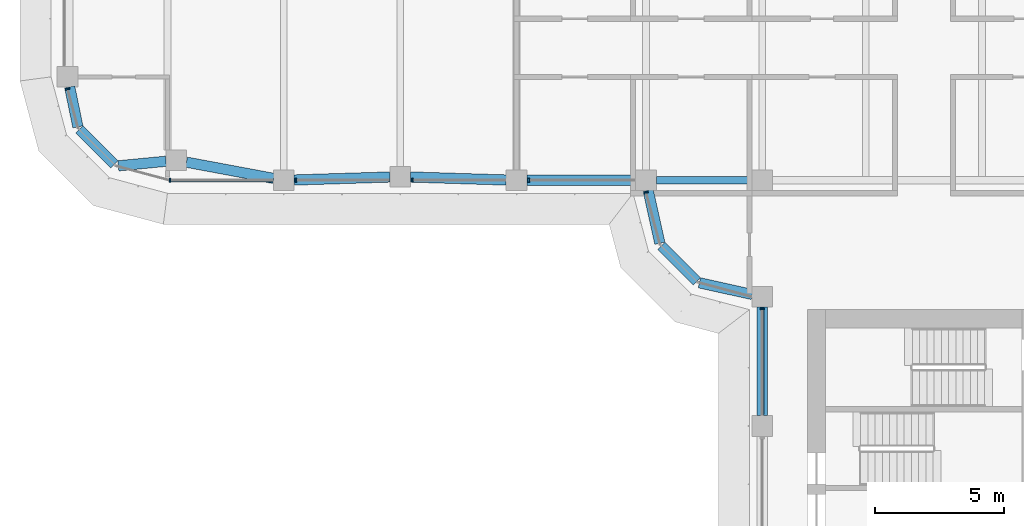
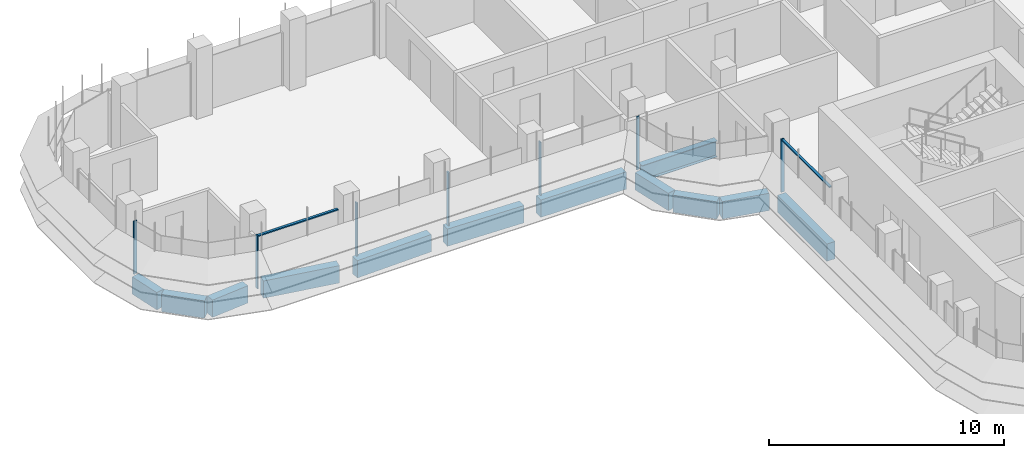
# One storey, part 3 of 19: 12 beams, 9 members, 4 elements without a shape of their own.
"""IFC4 building model written with IfcOpenShell, lengths in metres."""

import ifcopenshell
import ifcopenshell.guid

model = None  # the IFC model being written
_history = None  # IfcOwnerHistory: only IFC2X3 demands one
_inside = {}  # id of a spatial element -> (the spatial element, [elements in it])
_under = {}  # id of a project, library or spatial element -> (it, [spatial elements below it])
_declared = {}  # id of a project -> (the project, [libraries it declares])
_typed = {}  # id of a type object -> (the type object, [elements of that type])
_made_of = {}  # id of a material, layer set ... -> (it, [elements and type objects made of it])


def new_model(schema):
    """Start an empty IFC model of exactly this schema.

    Asked for "IFC4X3", IfcOpenShell would pick the latest addendum, in which some entities
    have other attributes; the version numbers below select the first issue.
    IFC2X3 requires an IfcOwnerHistory on every rooted entity: one is made here for all.
    """
    global model, _history
    if schema == "IFC4X3":
        model = ifcopenshell.file(schema_version=(4, 3, 0, 0))
    else:
        model = ifcopenshell.file(schema=schema)
    _inside.clear()
    _under.clear()
    _declared.clear()
    _typed.clear()
    _made_of.clear()
    _history = None
    if model.schema == "IFC2X3":
        org = make("IfcOrganization", Name="unknown")
        user = make(
            "IfcPersonAndOrganization",
            ThePerson=make("IfcPerson", FamilyName="unknown"),
            TheOrganization=org,
        )
        app = make(
            "IfcApplication",
            ApplicationDeveloper=org,
            Version="unknown",
            ApplicationFullName="unknown",
            ApplicationIdentifier="unknown",
        )
        _history = make(
            "IfcOwnerHistory",
            OwningUser=user,
            OwningApplication=app,
            ChangeAction="ADDED",
            CreationDate=0,
        )
    return model


def make(cls, **values):
    """One entity of the class cls with the attributes given. An attribute that is None is left unset."""
    return model.create_entity(
        cls, **{name: value for name, value in values.items() if value is not None}
    )


def rooted(cls, **values):
    """An entity with a GlobalId (a new one), such as an element, a storey or a relation."""
    return make(cls, GlobalId=ifcopenshell.guid.new(), OwnerHistory=_history, **values)


def si_unit(unit_type, name, prefix=None):
    """IfcSIUnit, for example si_unit("LENGTHUNIT", "METRE", prefix="MILLI")."""
    return make("IfcSIUnit", UnitType=unit_type, Prefix=prefix, Name=name)


def assignment(units):
    """IfcUnitAssignment: the units of a project."""
    return None if units is None else make("IfcUnitAssignment", Units=units)


def point(xyz):
    """IfcCartesianPoint."""
    return None if xyz is None else make("IfcCartesianPoint", Coordinates=xyz)


def direction(xyz):
    """IfcDirection."""
    return None if xyz is None else make("IfcDirection", DirectionRatios=xyz)


def frame(location, z_axis=None, x_axis=None):
    """IfcAxis2Placement3D, a coordinate frame: its origin and axes. An axis left out is left unset."""
    return make(
        "IfcAxis2Placement3D",
        Location=point(location),
        Axis=direction(z_axis),
        RefDirection=direction(x_axis),
    )


def frame_2d(location, x_axis=None):
    """IfcAxis2Placement2D, a coordinate frame in the plane: its origin and x axis."""
    return make(
        "IfcAxis2Placement2D", Location=point(location), RefDirection=direction(x_axis)
    )


def origin():
    """The frame at (0, 0, 0) with its axes left unset."""
    return frame((0.0, 0.0, 0.0))


def origin_2d():
    """The frame at (0, 0) in the plane with its x axis left unset."""
    return frame_2d((0.0, 0.0))


def place(relative_to, where):
    """IfcLocalPlacement: puts the frame where relative to a parent placement (None: the world)."""
    return make(
        "IfcLocalPlacement", PlacementRelTo=relative_to, RelativePlacement=where
    )


def context(
    kind, dimensions, precision=None, world=None, true_north=None, identifier=None
):
    """IfcGeometricRepresentationContext, for example the 3D "Model" context."""
    return make(
        "IfcGeometricRepresentationContext",
        ContextIdentifier=identifier,
        ContextType=kind,
        CoordinateSpaceDimension=dimensions,
        Precision=precision,
        WorldCoordinateSystem=world,
        TrueNorth=true_north,
    )


def subcontext(parent, identifier, kind, view, scale=None):
    """IfcGeometricRepresentationSubContext, for example "Body" below "Model"."""
    return make(
        "IfcGeometricRepresentationSubContext",
        ContextIdentifier=identifier,
        ContextType=kind,
        ParentContext=parent,
        TargetScale=scale,
        TargetView=view,
    )


def project(units=None, contexts=None):
    """IfcProject with its units and contexts."""
    return rooted(
        "IfcProject",
        Name="project",
        RepresentationContexts=contexts,
        UnitsInContext=assignment(units),
    )


def spatial(cls, under=None, at=None, **own):
    """A site, building, storey or space (cls), placed at a placement, below another one or the project."""
    s = rooted(cls, ObjectPlacement=at, **own)
    if under is not None:
        _under.setdefault(under.id(), (under, []))[1].append(s)
    return s


def polyline(points):
    """IfcPolyline through the points."""
    return make("IfcPolyline", Points=[point(p) for p in points])


def profile(cls, at=None, kind="AREA", **sizes):
    """A parametric profile (cls). Its sizes go by their IFC names, for example OverallWidth=200.0."""
    return make(cls, ProfileType=kind, Position=at, **sizes)


def rectangle(**sizes):
    """IfcRectangleProfileDef."""
    return profile("IfcRectangleProfileDef", **sizes)


def i_section(**sizes):
    """IfcIShapeProfileDef."""
    return profile("IfcIShapeProfileDef", **sizes)


def outline(outer, holes=None, kind="AREA"):
    """IfcArbitraryClosedProfileDef: a profile drawn as a closed curve; with holes, ...WithVoids."""
    if holes is None:
        return make("IfcArbitraryClosedProfileDef", ProfileType=kind, OuterCurve=outer)
    return make(
        "IfcArbitraryProfileDefWithVoids",
        ProfileType=kind,
        OuterCurve=outer,
        InnerCurves=holes,
    )


def extrude(swept, where, along, depth):
    """IfcExtrudedAreaSolid: the profile swept, set in the frame where, extruded along a direction by depth."""
    return make(
        "IfcExtrudedAreaSolid",
        SweptArea=swept,
        Position=where,
        ExtrudedDirection=direction(along),
        Depth=depth,
    )


def shape(context_of_items, identifier, shape_type, items):
    """IfcShapeRepresentation: the items that make up one representation, for example the "Body"."""
    return make(
        "IfcShapeRepresentation",
        ContextOfItems=context_of_items,
        RepresentationIdentifier=identifier,
        RepresentationType=shape_type,
        Items=items,
    )


def source(mapping_origin, context_of_items, identifier, shape_type, items):
    """IfcRepresentationMap: a shape defined once, which mapped items show again and again."""
    return make(
        "IfcRepresentationMap",
        MappingOrigin=mapping_origin,
        MappedRepresentation=shape(context_of_items, identifier, shape_type, items),
    )


def transform(
    local_origin,
    x_axis=None,
    y_axis=None,
    z_axis=None,
    scale=None,
    scale2=None,
    scale3=None,
    uniform=True,
):
    """IfcCartesianTransformationOperator3D, or its non-uniform kind. x_axis, y_axis, z_axis: its Axis1, 2, 3."""
    if uniform:
        return make(
            "IfcCartesianTransformationOperator3D",
            Axis1=direction(x_axis),
            Axis2=direction(y_axis),
            LocalOrigin=point(local_origin),
            Scale=scale,
            Axis3=direction(z_axis),
        )
    return make(
        "IfcCartesianTransformationOperator3DnonUniform",
        Axis1=direction(x_axis),
        Axis2=direction(y_axis),
        LocalOrigin=point(local_origin),
        Scale=scale,
        Axis3=direction(z_axis),
        Scale2=scale2,
        Scale3=scale3,
    )


def mapped(mapping_source, mapping_target):
    """IfcMappedItem: shows the shape of a source again, moved by a transform."""
    return make(
        "IfcMappedItem", MappingSource=mapping_source, MappingTarget=mapping_target
    )


def material(Name=None, Category=None):
    """IfcMaterial."""
    return make("IfcMaterial", Name=Name, Category=Category)


def material_profile(
    of_material, cross_section, Name=None, Category=None, Priority=None
):
    """IfcMaterialProfile: a cross section and its material."""
    return make(
        "IfcMaterialProfile",
        Name=Name,
        Material=of_material,
        Profile=cross_section,
        Priority=Priority,
        Category=Category,
    )


def profile_set(profiles, Name=None, composite=None):
    """IfcMaterialProfileSet."""
    return make(
        "IfcMaterialProfileSet",
        Name=Name,
        MaterialProfiles=profiles,
        CompositeProfile=composite,
    )


def made_of(thing, what):
    """Note that an element or type object is made of a material, layer set ...; save() writes the relation."""
    if what is not None:
        _made_of.setdefault(what.id(), (what, []))[1].append(thing)
    return thing


def type_object(cls, material=None, **own):
    """A type object (cls), such as IfcWallType, which elements share."""
    return made_of(rooted(cls, **own), material)


def element(
    cls,
    number,
    at=None,
    inside=None,
    cuts=None,
    type_object=None,
    material=None,
    context=None,
    identifier="Body",
    shape_type=None,
    held_by="IfcProductDefinitionShape",
    body=None,
    shapes=None,
    **own,
):
    """One element of the class cls, such as IfcWall. Its Tag is "e" and its number.

    at: its placement. inside: the storey or other place that contains it. cuts: it is an
    opening in that element (IfcRelVoidsElement). A single representation is given by context,
    identifier, shape_type and body (its items); several are given by shapes. held_by: the class
    of the entity that holds the representations. save() writes the other relations.
    """
    e = rooted(cls, Tag="e%d" % number, ObjectPlacement=at, **own)
    if body is not None:
        shapes = [shape(context, identifier, shape_type, body)]
    if shapes is not None:
        e.Representation = make(held_by, Representations=shapes)
    if inside is not None:
        _inside.setdefault(inside.id(), (inside, []))[1].append(e)
    if cuts is not None:
        rooted(
            "IfcRelVoidsElement", RelatingBuildingElement=cuts, RelatedOpeningElement=e
        )
    if type_object is not None:
        _typed.setdefault(type_object.id(), (type_object, []))[1].append(e)
    return made_of(e, material)


def aggregate(whole, parts):
    """IfcRelAggregates: a whole, such as a stair, and the parts it consists of."""
    return rooted("IfcRelAggregates", RelatingObject=whole, RelatedObjects=parts)


def save(model, path):
    """Write the relations noted so far, then the file.

    IfcRelAggregates (storeys below a building ...), IfcRelContainedInSpatialStructure (elements
    in a storey), IfcRelDefinesByType, IfcRelAssociatesMaterial and IfcRelDeclares: one each for
    every whole, place, type object, material and project.
    """
    for whole, parts in _under.values():
        aggregate(whole, parts)
    for where, things in _inside.values():
        rooted(
            "IfcRelContainedInSpatialStructure",
            RelatedElements=things,
            RelatingStructure=where,
        )
    for kind, things in _typed.values():
        rooted("IfcRelDefinesByType", RelatedObjects=things, RelatingType=kind)
    for what, things in _made_of.values():
        rooted("IfcRelAssociatesMaterial", RelatedObjects=things, RelatingMaterial=what)
    for by, libraries in _declared.values():
        rooted("IfcRelDeclares", RelatingContext=by, RelatedDefinitions=libraries)
    model.write(path)


model = new_model("IFC4")

# Units and contexts
model_context = context("Model", 3, precision=1e-05, world=origin(), true_north=direction((0.0, 1.0)))
body_context = subcontext(model_context, "Body", "Model", "MODEL_VIEW")
ifc_project = project(units=[si_unit("LENGTHUNIT", "METRE"), si_unit("AREAUNIT", "SQUARE_METRE"), si_unit("VOLUMEUNIT", "CUBIC_METRE"), si_unit("PLANEANGLEUNIT", "RADIAN"), si_unit("MASSUNIT", "GRAM", prefix="KILO")], contexts=[model_context])

# Site, building, storey
site_placement = place(None, origin())
site = spatial("IfcSite", under=ifc_project, at=site_placement, CompositionType="ELEMENT")
building_placement = place(site_placement, origin())
building = spatial("IfcBuilding", under=site, at=building_placement, Name="Zarbagh Exchange Tower", CompositionType="ELEMENT")
storey_placement = place(building_placement, frame((0.0, 0.0, 167.60009765625)))
storey = spatial("IfcBuildingStorey", under=building, at=storey_placement, Name="L40", CompositionType="ELEMENT", Elevation=167.60009765625)

# Beams
ifc_material_1 = material(Name="Steel ASTM A992 Gr 50", Category="steel")
ifc_material_profile_1 = material_profile(ifc_material_1, i_section(OverallWidth=0.2919921875, OverallDepth=0.835693359375, WebThickness=0.013916015625, FlangeThickness=0.018798828125, at=origin_2d()), Name="W33X118")
ifc_profile_set_1 = profile_set([ifc_material_profile_1], Name="Steel ASTM A992 Gr 50")
beam_type_1 = type_object("IfcBeamType", Name="Floor girder W33X118", PredefinedType="BEAM", material=ifc_profile_set_1)
beam_1_placement = place(storey_placement, frame((-10.35009765625, -6.25, -0.56787109375), z_axis=(1.0, 0.0, 0.0), x_axis=(0.0, 1.0, 0.0)))
element("IfcBeam", 1, at=beam_1_placement, inside=storey, type_object=beam_type_1, Name="Steel girder", PredefinedType="BEAM", context=body_context, shape_type="SweptSolid", body=[
    extrude(i_section(OverallWidth=0.2919921875, OverallDepth=0.835693359375, WebThickness=0.013916015625, FlangeThickness=0.018798828125, at=origin_2d()), origin(), (0.0, 0.0, 1.0), 3.7001953125),
])
ifc_material_2 = material(Name="Concrete C50/60", Category="concrete")
ifc_material_profile_2 = material_profile(ifc_material_2, rectangle(XDim=0.39990234375, YDim=0.89990234375, at=origin_2d()), Name="RC spandrel beam 400 x 900 C50/60")
ifc_profile_set_2 = profile_set([ifc_material_profile_2], Name="Concrete C50/60")
beam_type_2 = type_object("IfcBeamType", Name="RC spandrel beam 400 x 900 C50/60", PredefinedType="SPANDREL", material=ifc_profile_set_2)
beam_2_placement = place(storey_placement, frame((-6.25, -15.35009765625, -0.60009765625), z_axis=(0.0, 1.0, 0.0), x_axis=(-1.0, 0.0, 0.0)))
element("IfcBeam", 2, at=beam_2_placement, inside=storey, type_object=beam_type_2, Name="RC spandrel beam", PredefinedType="SPANDREL", context=body_context, shape_type="SweptSolid", body=[
    extrude(rectangle(XDim=0.39990234375, YDim=0.89990234375, at=origin_2d()), origin(), (0.0, 0.0, 1.0), 4.2001953125),
])
beam_3_placement = place(storey_placement, frame((-6.640625, -10.66357421875, -0.60009765625), z_axis=(-0.976384278741, 0.216041061437, 0.0), x_axis=(-0.216041061437, -0.976384278741, 0.0)))
element("IfcBeam", 3, at=beam_3_placement, inside=storey, type_object=beam_type_2, Name="RC spandrel beam", PredefinedType="SPANDREL", context=body_context, shape_type="SweptSolid", body=[
    extrude(rectangle(XDim=0.39990234375, YDim=0.89990234375, at=origin_2d()), origin(), (0.0, 0.0, 1.0), 2.0927734375),
])
beam_4_placement = place(storey_placement, frame((-8.782470703125, -10.15771484375, -0.60009765625), z_axis=(-0.707106781187, 0.707106781187, 0.0), x_axis=(-0.707106781187, -0.707106781187, 0.0)))
element("IfcBeam", 4, at=beam_4_placement, inside=storey, type_object=beam_type_2, Name="RC spandrel beam", PredefinedType="SPANDREL", context=body_context, shape_type="SweptSolid", body=[
    extrude(rectangle(XDim=0.39990234375, YDim=0.89990234375, at=origin_2d()), origin(), (0.0, 0.0, 1.0), 1.94482421875),
])
beam_5_placement = place(storey_placement, frame((-10.21142578125, -8.68408203125, -0.60009765625), z_axis=(-0.216041061437, 0.976384278741, 0.0), x_axis=(-0.976384278741, -0.216041061437, 0.0)))
element("IfcBeam", 5, at=beam_5_placement, inside=storey, type_object=beam_type_2, Name="RC spandrel beam", PredefinedType="SPANDREL", context=body_context, shape_type="SweptSolid", body=[
    extrude(rectangle(XDim=0.39990234375, YDim=0.89990234375, at=origin_2d()), origin(), (0.0, 0.0, 1.0), 2.0927734375),
])
beam_6_placement = place(storey_placement, frame((-11.14990234375, -6.25, -0.60009765625), z_axis=(-1.0, 0.0, 0.0), x_axis=(0.0, -1.0, 0.0)))
element("IfcBeam", 6, at=beam_6_placement, inside=storey, type_object=beam_type_2, Name="RC spandrel beam", PredefinedType="SPANDREL", context=body_context, shape_type="SweptSolid", body=[
    extrude(rectangle(XDim=0.39990234375, YDim=0.89990234375, at=origin_2d()), origin(), (0.0, 0.0, 1.0), 4.2001953125),
])
for number, where, z_axis, x_axis, name in (
    (7, (-16.14990234375, -6.237548828125, -0.60009765625), (-0.999515416033, 0.031127690444, 0.0), (-0.031127690444, -0.999515416033, 0.0), "RC spandrel beam"),
    (8, (-20.64990234375, -6.122314453125, -0.60009765625), (-0.999515416033, -0.031127690444, 0.0), (0.031127690444, -0.999515416033, 0.0), "RC spandrel beam"),
):
    element("IfcBeam", number, at=place(storey_placement, frame(where, z_axis=z_axis, x_axis=x_axis)), inside=storey, type_object=beam_type_2, Name=name, PredefinedType="SPANDREL", context=body_context, shape_type="SweptSolid", body=[
        extrude(rectangle(XDim=0.39990234375, YDim=0.89990234375, at=origin_2d()), origin(), (0.0, 0.0, 1.0), 3.701904296875),
    ])
beam_7_placement = place(storey_placement, frame((-25.143310546875, -6.1767578125, -0.60009765625), z_axis=(-0.983069862768, 0.183231124313, 0.0), x_axis=(-0.183231124313, -0.983069862768, 0.0)))
element("IfcBeam", 9, at=beam_7_placement, inside=storey, type_object=beam_type_2, Name="RC spandrel beam", PredefinedType="SPANDREL", context=body_context, shape_type="SweptSolid", body=[
    extrude(rectangle(XDim=0.39990234375, YDim=0.89990234375, at=origin_2d()), origin(), (0.0, 0.0, 1.0), 3.4296875),
])
beam_8_placement = place(storey_placement, frame((-29.30615234375, -5.51318359375, -0.60009765625), z_axis=(-0.995435353267, -0.095438239015, 0.0), x_axis=(0.095438239015, -0.995435353267, 0.0)))
element("IfcBeam", 10, at=beam_8_placement, inside=storey, type_object=beam_type_2, Name="RC spandrel beam", PredefinedType="SPANDREL", context=body_context, shape_type="SweptSolid", body=[
    extrude(rectangle(XDim=0.39990234375, YDim=0.89990234375, at=origin_2d()), origin(), (0.0, 0.0, 1.0), 1.849609375),
])
beam_9_placement = place(storey_placement, frame((-31.307861328125, -5.632080078125, -0.60009765625), z_axis=(-0.707106781187, 0.707106781187, 0.0), x_axis=(-0.707106781187, -0.707106781187, 0.0)))
element("IfcBeam", 11, at=beam_9_placement, inside=storey, type_object=beam_type_2, Name="RC spandrel beam", PredefinedType="SPANDREL", context=body_context, shape_type="SweptSolid", body=[
    extrude(rectangle(XDim=0.39990234375, YDim=0.89990234375, at=origin_2d()), origin(), (0.0, 0.0, 1.0), 1.9072265625),
])
beam_10_placement = place(storey_placement, frame((-32.7109375, -4.1826171875, -0.60009765625), z_axis=(-0.20216948151, 0.979350550491, 0.0), x_axis=(-0.979350550491, -0.20216948151, 0.0)))
element("IfcBeam", 12, at=beam_10_placement, inside=storey, type_object=beam_type_2, Name="RC spandrel beam", PredefinedType="SPANDREL", context=body_context, shape_type="SweptSolid", body=[
    extrude(rectangle(XDim=0.39990234375, YDim=0.89990234375, at=origin_2d()), origin(), (0.0, 0.0, 1.0), 1.573486328125),
])

# Curtain wall, member
ifc_material_3 = material(Name="Anodised aluminium frame and glazing", Category="aluminium")
curtain_wall_type = type_object("IfcCurtainWallType", Name="CWB Ribbon glazing, upper zones", PredefinedType="NOTDEFINED", material=ifc_material_3)
curtain_wall_1_placement = place(storey_placement, origin())
curtain_wall_1 = element("IfcCurtainWall", 13, at=curtain_wall_1_placement, inside=storey, type_object=curtain_wall_type, Name="CWB37 curtain wall", PredefinedType="NOTDEFINED")
ifc_material_4 = material(Name="Anodised aluminium frame", Category="aluminium")
member_type_1 = type_object("IfcMemberType", Name="MUB Mullion, anodised aluminium frame", PredefinedType="MULLION", material=ifc_material_4)
shared_shape_1 = source(origin(), body_context, "Body", "SweptSolid", [
    extrude(outline(polyline([(0.0, -0.080078125), (0.06005859375, -0.080078125), (0.06005859375, 0.080078125), (0.0, 0.080078125), (0.0, -0.080078125)])), origin(), (0.0, 0.0, 1.0), 2.75),
])
placement = place(storey_placement, origin())
member_1 = element("IfcMember", 14, at=placement, type_object=member_type_1, Name="CWB37 mullion 1.1", PredefinedType="MULLION", context=body_context, shape_type="MappedRepresentation", body=[
    mapped(shared_shape_1, transform((-33.114501953125, -2.68994140625, 0.0), x_axis=(0.258824779902, -0.965924289636, 0.0), y_axis=(0.965924289636, 0.258824779902, 0.0), z_axis=(0.0, 0.0, 1.0))),
])
aggregate(curtain_wall_1, [member_1])

# Curtain wall, members
curtain_wall_2_placement = place(storey_placement, origin())
curtain_wall_2 = element("IfcCurtainWall", 15, at=curtain_wall_2_placement, inside=storey, type_object=curtain_wall_type, Name="CWB40 curtain wall", PredefinedType="NOTDEFINED")
member_2 = element("IfcMember", 16, at=placement, type_object=member_type_1, Name="CWB40 mullion 1.1", PredefinedType="MULLION", context=body_context, shape_type="MappedRepresentation", body=[
    mapped(shared_shape_1, transform((-29.18408203125, -6.25, 0.0), x_axis=(1.0, 0.0, 0.0), y_axis=(0.0, 1.0, 0.0), z_axis=(0.0, 0.0, 1.0))),
])
member_3 = element("IfcMember", 17, at=placement, type_object=member_type_1, Name="CWB40 mullion 2.1", PredefinedType="MULLION", context=body_context, shape_type="MappedRepresentation", body=[
    mapped(shared_shape_1, transform((-24.31005859375, -6.25, 0.0), x_axis=(1.0, 0.0, 0.0), y_axis=(0.0, 1.0, 0.0), z_axis=(0.0, 0.0, 1.0))),
])
member_4 = element("IfcMember", 18, at=placement, type_object=member_type_1, Name="CWB40 mullion 3.1", PredefinedType="MULLION", context=body_context, shape_type="MappedRepresentation", body=[
    mapped(shared_shape_1, transform((-19.81005859375, -6.25, 0.0), x_axis=(1.0, 0.0, 0.0), y_axis=(0.0, 1.0, 0.0), z_axis=(0.0, 0.0, 1.0))),
])
member_5 = element("IfcMember", 19, at=placement, type_object=member_type_1, Name="CWB40 mullion 4.1", PredefinedType="MULLION", context=body_context, shape_type="MappedRepresentation", body=[
    mapped(shared_shape_1, transform((-15.31005859375, -6.25, 0.0), x_axis=(1.0, 0.0, 0.0), y_axis=(0.0, 1.0, 0.0), z_axis=(0.0, 0.0, 1.0))),
])

# Curtain wall, member
curtain_wall_3_placement = place(storey_placement, origin())
curtain_wall_3 = element("IfcCurtainWall", 20, at=curtain_wall_3_placement, inside=storey, type_object=curtain_wall_type, Name="CWB41 curtain wall", PredefinedType="NOTDEFINED")
member_6 = element("IfcMember", 21, at=placement, type_object=member_type_1, Name="CWB41 mullion 1.1", PredefinedType="MULLION", context=body_context, shape_type="MappedRepresentation", body=[
    mapped(shared_shape_1, transform((-10.74853515625, -6.68994140625, 0.0), x_axis=(0.258824779902, -0.965924289636, 0.0), y_axis=(0.965924289636, 0.258824779902, 0.0), z_axis=(0.0, 0.0, 1.0))),
])
aggregate(curtain_wall_3, [member_6])

# Curtain wall, members
curtain_wall_4_placement = place(storey_placement, origin())
curtain_wall_4 = element("IfcCurtainWall", 22, at=curtain_wall_4_placement, inside=storey, type_object=curtain_wall_type, Name="CWB53 curtain wall", PredefinedType="NOTDEFINED")
member_7 = element("IfcMember", 23, at=placement, type_object=member_type_1, Name="CWB53 mullion 1.1", PredefinedType="MULLION", context=body_context, shape_type="MappedRepresentation", body=[
    mapped(shared_shape_1, transform((-6.25, -11.18994140625, 0.0), x_axis=(0.0, -1.0, 0.0), y_axis=(1.0, 0.0, 0.0), z_axis=(0.0, 0.0, 1.0))),
])
member_type_2 = type_object("IfcMemberType", Name="TRB Transom, anodised aluminium frame", PredefinedType="USERDEFINED", material=ifc_material_4)
shared_shape_2 = source(origin(), body_context, "Body", "SweptSolid", [
    extrude(outline(polyline([(-0.06005859375, -0.06005859375), (0.0, -0.06005859375), (0.0, 0.06005859375), (-0.06005859375, 0.06005859375), (-0.06005859375, -0.06005859375)])), origin(), (0.0, 0.0, 1.0), 4.06005859375),
])
member_8 = element("IfcMember", 24, at=placement, type_object=member_type_2, Name="CWB53 transom 1.1", ObjectType="TRANSOM", PredefinedType="USERDEFINED", context=body_context, shape_type="MappedRepresentation", body=[
    mapped(shared_shape_2, transform((-6.25, -11.25, 2.75), x_axis=(0.0, 0.0, 1.0), y_axis=(-1.0, 0.0, 0.0), z_axis=(0.0, -1.0, 0.0))),
])
aggregate(curtain_wall_4, [member_7, member_8])

# Member
shared_shape_3 = source(origin(), body_context, "Body", "SweptSolid", [
    extrude(outline(polyline([(-0.06005859375, -0.06005859375), (0.0, -0.06005859375), (0.0, 0.06005859375), (-0.06005859375, 0.06005859375), (-0.06005859375, -0.06005859375)])), origin(), (0.0, 0.0, 1.0), 3.93408203125),
])
member_9 = element("IfcMember", 25, at=placement, type_object=member_type_2, Name="CWB40 transom 1.1", ObjectType="TRANSOM", PredefinedType="USERDEFINED", context=body_context, shape_type="MappedRepresentation", body=[
    mapped(shared_shape_3, transform((-29.124267578125, -6.25, 2.75), x_axis=(0.0, 0.0, 1.0), y_axis=(0.0, -1.0, 0.0), z_axis=(1.0, 0.0, 0.0))),
])

aggregate(curtain_wall_2, [member_2, member_9, member_3, member_4, member_5])

save(model, "model.ifc")
